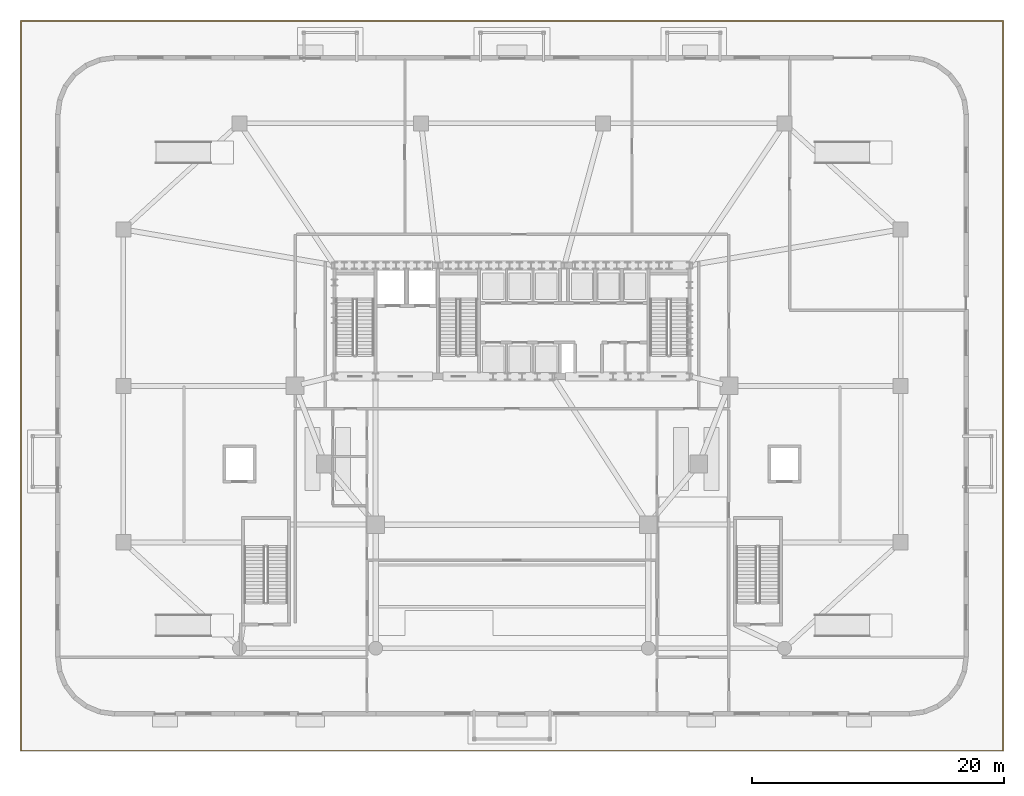
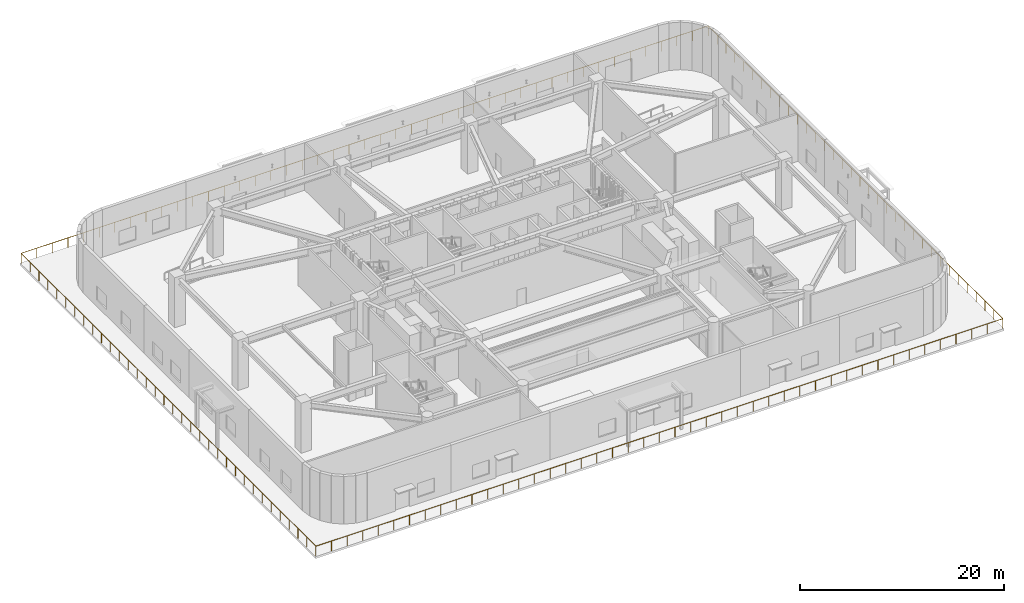
# One storey, part 16 of 21: 1 railing.
"""IFC4 building model written with IfcOpenShell, lengths in metres."""

import ifcopenshell
import ifcopenshell.guid

model = None  # the IFC model being written
_history = None  # IfcOwnerHistory: only IFC2X3 demands one
_inside = {}  # id of a spatial element -> (the spatial element, [elements in it])
_under = {}  # id of a project, library or spatial element -> (it, [spatial elements below it])
_declared = {}  # id of a project -> (the project, [libraries it declares])
_typed = {}  # id of a type object -> (the type object, [elements of that type])
_made_of = {}  # id of a material, layer set ... -> (it, [elements and type objects made of it])


def new_model(schema):
    """Start an empty IFC model of exactly this schema.

    Asked for "IFC4X3", IfcOpenShell would pick the latest addendum, in which some entities
    have other attributes; the version numbers below select the first issue.
    IFC2X3 requires an IfcOwnerHistory on every rooted entity: one is made here for all.
    """
    global model, _history
    if schema == "IFC4X3":
        model = ifcopenshell.file(schema_version=(4, 3, 0, 0))
    else:
        model = ifcopenshell.file(schema=schema)
    _inside.clear()
    _under.clear()
    _declared.clear()
    _typed.clear()
    _made_of.clear()
    _history = None
    if model.schema == "IFC2X3":
        org = make("IfcOrganization", Name="unknown")
        user = make(
            "IfcPersonAndOrganization",
            ThePerson=make("IfcPerson", FamilyName="unknown"),
            TheOrganization=org,
        )
        app = make(
            "IfcApplication",
            ApplicationDeveloper=org,
            Version="unknown",
            ApplicationFullName="unknown",
            ApplicationIdentifier="unknown",
        )
        _history = make(
            "IfcOwnerHistory",
            OwningUser=user,
            OwningApplication=app,
            ChangeAction="ADDED",
            CreationDate=0,
        )
    return model


def make(cls, **values):
    """One entity of the class cls with the attributes given. An attribute that is None is left unset."""
    return model.create_entity(
        cls, **{name: value for name, value in values.items() if value is not None}
    )


def rooted(cls, **values):
    """An entity with a GlobalId (a new one), such as an element, a storey or a relation."""
    return make(cls, GlobalId=ifcopenshell.guid.new(), OwnerHistory=_history, **values)


def si_unit(unit_type, name, prefix=None):
    """IfcSIUnit, for example si_unit("LENGTHUNIT", "METRE", prefix="MILLI")."""
    return make("IfcSIUnit", UnitType=unit_type, Prefix=prefix, Name=name)


def assignment(units):
    """IfcUnitAssignment: the units of a project."""
    return None if units is None else make("IfcUnitAssignment", Units=units)


def point(xyz):
    """IfcCartesianPoint."""
    return None if xyz is None else make("IfcCartesianPoint", Coordinates=xyz)


def direction(xyz):
    """IfcDirection."""
    return None if xyz is None else make("IfcDirection", DirectionRatios=xyz)


def frame(location, z_axis=None, x_axis=None):
    """IfcAxis2Placement3D, a coordinate frame: its origin and axes. An axis left out is left unset."""
    return make(
        "IfcAxis2Placement3D",
        Location=point(location),
        Axis=direction(z_axis),
        RefDirection=direction(x_axis),
    )


def frame_2d(location, x_axis=None):
    """IfcAxis2Placement2D, a coordinate frame in the plane: its origin and x axis."""
    return make(
        "IfcAxis2Placement2D", Location=point(location), RefDirection=direction(x_axis)
    )


def origin():
    """The frame at (0, 0, 0) with its axes left unset."""
    return frame((0.0, 0.0, 0.0))


def origin_2d():
    """The frame at (0, 0) in the plane with its x axis left unset."""
    return frame_2d((0.0, 0.0))


def place(relative_to, where):
    """IfcLocalPlacement: puts the frame where relative to a parent placement (None: the world)."""
    return make(
        "IfcLocalPlacement", PlacementRelTo=relative_to, RelativePlacement=where
    )


def context(
    kind, dimensions, precision=None, world=None, true_north=None, identifier=None
):
    """IfcGeometricRepresentationContext, for example the 3D "Model" context."""
    return make(
        "IfcGeometricRepresentationContext",
        ContextIdentifier=identifier,
        ContextType=kind,
        CoordinateSpaceDimension=dimensions,
        Precision=precision,
        WorldCoordinateSystem=world,
        TrueNorth=true_north,
    )


def subcontext(parent, identifier, kind, view, scale=None):
    """IfcGeometricRepresentationSubContext, for example "Body" below "Model"."""
    return make(
        "IfcGeometricRepresentationSubContext",
        ContextIdentifier=identifier,
        ContextType=kind,
        ParentContext=parent,
        TargetScale=scale,
        TargetView=view,
    )


def project(units=None, contexts=None):
    """IfcProject with its units and contexts."""
    return rooted(
        "IfcProject",
        Name="project",
        RepresentationContexts=contexts,
        UnitsInContext=assignment(units),
    )


def spatial(cls, under=None, at=None, **own):
    """A site, building, storey or space (cls), placed at a placement, below another one or the project."""
    s = rooted(cls, ObjectPlacement=at, **own)
    if under is not None:
        _under.setdefault(under.id(), (under, []))[1].append(s)
    return s


def profile(cls, at=None, kind="AREA", **sizes):
    """A parametric profile (cls). Its sizes go by their IFC names, for example OverallWidth=200.0."""
    return make(cls, ProfileType=kind, Position=at, **sizes)


def rectangle(**sizes):
    """IfcRectangleProfileDef."""
    return profile("IfcRectangleProfileDef", **sizes)


def extrude(swept, where, along, depth):
    """IfcExtrudedAreaSolid: the profile swept, set in the frame where, extruded along a direction by depth."""
    return make(
        "IfcExtrudedAreaSolid",
        SweptArea=swept,
        Position=where,
        ExtrudedDirection=direction(along),
        Depth=depth,
    )


def shape(context_of_items, identifier, shape_type, items):
    """IfcShapeRepresentation: the items that make up one representation, for example the "Body"."""
    return make(
        "IfcShapeRepresentation",
        ContextOfItems=context_of_items,
        RepresentationIdentifier=identifier,
        RepresentationType=shape_type,
        Items=items,
    )


def material(Name=None, Category=None):
    """IfcMaterial."""
    return make("IfcMaterial", Name=Name, Category=Category)


def made_of(thing, what):
    """Note that an element or type object is made of a material, layer set ...; save() writes the relation."""
    if what is not None:
        _made_of.setdefault(what.id(), (what, []))[1].append(thing)
    return thing


def type_object(cls, material=None, **own):
    """A type object (cls), such as IfcWallType, which elements share."""
    return made_of(rooted(cls, **own), material)


def element(
    cls,
    number,
    at=None,
    inside=None,
    cuts=None,
    type_object=None,
    material=None,
    context=None,
    identifier="Body",
    shape_type=None,
    held_by="IfcProductDefinitionShape",
    body=None,
    shapes=None,
    **own,
):
    """One element of the class cls, such as IfcWall. Its Tag is "e" and its number.

    at: its placement. inside: the storey or other place that contains it. cuts: it is an
    opening in that element (IfcRelVoidsElement). A single representation is given by context,
    identifier, shape_type and body (its items); several are given by shapes. held_by: the class
    of the entity that holds the representations. save() writes the other relations.
    """
    e = rooted(cls, Tag="e%d" % number, ObjectPlacement=at, **own)
    if body is not None:
        shapes = [shape(context, identifier, shape_type, body)]
    if shapes is not None:
        e.Representation = make(held_by, Representations=shapes)
    if inside is not None:
        _inside.setdefault(inside.id(), (inside, []))[1].append(e)
    if cuts is not None:
        rooted(
            "IfcRelVoidsElement", RelatingBuildingElement=cuts, RelatedOpeningElement=e
        )
    if type_object is not None:
        _typed.setdefault(type_object.id(), (type_object, []))[1].append(e)
    return made_of(e, material)


def aggregate(whole, parts):
    """IfcRelAggregates: a whole, such as a stair, and the parts it consists of."""
    return rooted("IfcRelAggregates", RelatingObject=whole, RelatedObjects=parts)


def save(model, path):
    """Write the relations noted so far, then the file.

    IfcRelAggregates (storeys below a building ...), IfcRelContainedInSpatialStructure (elements
    in a storey), IfcRelDefinesByType, IfcRelAssociatesMaterial and IfcRelDeclares: one each for
    every whole, place, type object, material and project.
    """
    for whole, parts in _under.values():
        aggregate(whole, parts)
    for where, things in _inside.values():
        rooted(
            "IfcRelContainedInSpatialStructure",
            RelatedElements=things,
            RelatingStructure=where,
        )
    for kind, things in _typed.values():
        rooted("IfcRelDefinesByType", RelatedObjects=things, RelatingType=kind)
    for what, things in _made_of.values():
        rooted("IfcRelAssociatesMaterial", RelatedObjects=things, RelatingMaterial=what)
    for by, libraries in _declared.values():
        rooted("IfcRelDeclares", RelatingContext=by, RelatedDefinitions=libraries)
    model.write(path)


model = new_model("IFC4")

# Units and contexts
model_context = context("Model", 3, precision=1e-05, world=origin(), true_north=direction((0.0, 1.0)))
body_context = subcontext(model_context, "Body", "Model", "MODEL_VIEW")
ifc_project = project(units=[si_unit("LENGTHUNIT", "METRE"), si_unit("AREAUNIT", "SQUARE_METRE"), si_unit("VOLUMEUNIT", "CUBIC_METRE"), si_unit("PLANEANGLEUNIT", "RADIAN"), si_unit("MASSUNIT", "GRAM", prefix="KILO")], contexts=[model_context])

# Site, building, storey
site_placement = place(None, origin())
site = spatial("IfcSite", under=ifc_project, at=site_placement, CompositionType="ELEMENT")
building_placement = place(site_placement, origin())
building = spatial("IfcBuilding", under=site, at=building_placement, Name="Haldorwick Loom Tower", CompositionType="ELEMENT")
storey_placement = place(building_placement, origin())
storey = spatial("IfcBuildingStorey", under=building, at=storey_placement, Name="L00", CompositionType="ELEMENT", Elevation=0.0)

# Railing
ifc_material = material(Name="Galvanized Steel CSA G40.21 350W", Category="steel")
railing_type = type_object("IfcRailingType", Name="ARC-RLG-BAL120", PredefinedType="BALUSTRADE", material=ifc_material)
railing_placement = place(storey_placement, frame((-2.919921875, -2.919921875, 0.0)))
element("IfcRailing", 1, at=railing_placement, inside=storey, type_object=railing_type, Name="L00 Outdoor Terrace Guardrail SLB-L00-APRON-1", PredefinedType="BALUSTRADE", context=body_context, shape_type="SweptSolid", body=[
    extrude(rectangle(XDim=0.048095703125, YDim=0.048095703125, at=origin_2d()), frame((0.0, 0.0, 1.17578125), z_axis=(0.0, 1.0, 0.0), x_axis=(-1.0, 0.0, 0.0)), (0.0, 0.0, 1.0), 57.83984375),
    extrude(rectangle(XDim=0.048095703125, YDim=0.048095703125, at=origin_2d()), frame((0.0, 57.83984375, 1.17578125), z_axis=(1.0, 0.0, 0.0), x_axis=(0.0, 1.0, 0.0)), (0.0, 0.0, 1.0), 77.83984375),
    extrude(rectangle(XDim=0.048095703125, YDim=0.048095703125, at=origin_2d()), frame((77.83984375, 57.83984375, 1.17578125), z_axis=(0.0, -1.0, 0.0), x_axis=(1.0, 0.0, 0.0)), (0.0, 0.0, 1.0), 57.83984375),
    extrude(rectangle(XDim=0.048095703125, YDim=0.048095703125, at=origin_2d()), frame((77.83984375, 0.0, 1.17578125), z_axis=(-1.0, 0.0, 0.0), x_axis=(0.0, -1.0, 0.0)), (0.0, 0.0, 1.0), 77.83984375),
    extrude(rectangle(XDim=0.0419921875, YDim=0.0419921875, at=origin_2d()), origin(), (0.0, 0.0, 1.0), 1.15185546875),
    extrude(rectangle(XDim=0.0419921875, YDim=0.0419921875, at=origin_2d()), frame((0.0, 1.752685546875, 0.0)), (0.0, 0.0, 1.0), 1.15185546875),
    extrude(rectangle(XDim=0.0419921875, YDim=0.0419921875, at=origin_2d()), frame((0.0, 3.50537109375, 0.0)), (0.0, 0.0, 1.0), 1.15185546875),
    extrude(rectangle(XDim=0.0419921875, YDim=0.0419921875, at=origin_2d()), frame((0.0, 5.258056640625, 0.0)), (0.0, 0.0, 1.0), 1.15185546875),
    extrude(rectangle(XDim=0.0419921875, YDim=0.0419921875, at=origin_2d()), frame((0.0, 7.010986328125, 0.0)), (0.0, 0.0, 1.0), 1.15185546875),
    extrude(rectangle(XDim=0.0419921875, YDim=0.0419921875, at=origin_2d()), frame((0.0, 8.763671875, 0.0)), (0.0, 0.0, 1.0), 1.15185546875),
    extrude(rectangle(XDim=0.0419921875, YDim=0.0419921875, at=origin_2d()), frame((0.0, 10.516357421875, 0.0)), (0.0, 0.0, 1.0), 1.15185546875),
    extrude(rectangle(XDim=0.0419921875, YDim=0.0419921875, at=origin_2d()), frame((0.0, 12.26904296875, 0.0)), (0.0, 0.0, 1.0), 1.15185546875),
    extrude(rectangle(XDim=0.0419921875, YDim=0.0419921875, at=origin_2d()), frame((0.0, 14.021728515625, 0.0)), (0.0, 0.0, 1.0), 1.15185546875),
    extrude(rectangle(XDim=0.0419921875, YDim=0.0419921875, at=origin_2d()), frame((0.0, 15.7744140625, 0.0)), (0.0, 0.0, 1.0), 1.15185546875),
    extrude(rectangle(XDim=0.0419921875, YDim=0.0419921875, at=origin_2d()), frame((0.0, 17.52734375, 0.0)), (0.0, 0.0, 1.0), 1.15185546875),
    extrude(rectangle(XDim=0.0419921875, YDim=0.0419921875, at=origin_2d()), frame((0.0, 19.280029296875, 0.0)), (0.0, 0.0, 1.0), 1.15185546875),
    extrude(rectangle(XDim=0.0419921875, YDim=0.0419921875, at=origin_2d()), frame((0.0, 21.03271484375, 0.0)), (0.0, 0.0, 1.0), 1.15185546875),
    extrude(rectangle(XDim=0.0419921875, YDim=0.0419921875, at=origin_2d()), frame((0.0, 22.785400390625, 0.0)), (0.0, 0.0, 1.0), 1.15185546875),
    extrude(rectangle(XDim=0.0419921875, YDim=0.0419921875, at=origin_2d()), frame((0.0, 24.5380859375, 0.0)), (0.0, 0.0, 1.0), 1.15185546875),
    extrude(rectangle(XDim=0.0419921875, YDim=0.0419921875, at=origin_2d()), frame((0.0, 26.290771484375, 0.0)), (0.0, 0.0, 1.0), 1.15185546875),
    extrude(rectangle(XDim=0.0419921875, YDim=0.0419921875, at=origin_2d()), frame((0.0, 28.04345703125, 0.0)), (0.0, 0.0, 1.0), 1.15185546875),
    extrude(rectangle(XDim=0.0419921875, YDim=0.0419921875, at=origin_2d()), frame((0.0, 29.79638671875, 0.0)), (0.0, 0.0, 1.0), 1.15185546875),
    extrude(rectangle(XDim=0.0419921875, YDim=0.0419921875, at=origin_2d()), frame((0.0, 31.549072265625, 0.0)), (0.0, 0.0, 1.0), 1.15185546875),
    extrude(rectangle(XDim=0.0419921875, YDim=0.0419921875, at=origin_2d()), frame((0.0, 33.3017578125, 0.0)), (0.0, 0.0, 1.0), 1.15185546875),
    extrude(rectangle(XDim=0.0419921875, YDim=0.0419921875, at=origin_2d()), frame((0.0, 35.054443359375, 0.0)), (0.0, 0.0, 1.0), 1.15185546875),
    extrude(rectangle(XDim=0.0419921875, YDim=0.0419921875, at=origin_2d()), frame((0.0, 36.80712890625, 0.0)), (0.0, 0.0, 1.0), 1.15185546875),
    extrude(rectangle(XDim=0.0419921875, YDim=0.0419921875, at=origin_2d()), frame((0.0, 38.559814453125, 0.0)), (0.0, 0.0, 1.0), 1.15185546875),
    extrude(rectangle(XDim=0.0419921875, YDim=0.0419921875, at=origin_2d()), frame((0.0, 40.3125, 0.0)), (0.0, 0.0, 1.0), 1.15185546875),
    extrude(rectangle(XDim=0.0419921875, YDim=0.0419921875, at=origin_2d()), frame((0.0, 42.0654296875, 0.0)), (0.0, 0.0, 1.0), 1.15185546875),
    extrude(rectangle(XDim=0.0419921875, YDim=0.0419921875, at=origin_2d()), frame((0.0, 43.818115234375, 0.0)), (0.0, 0.0, 1.0), 1.15185546875),
    extrude(rectangle(XDim=0.0419921875, YDim=0.0419921875, at=origin_2d()), frame((0.0, 45.57080078125, 0.0)), (0.0, 0.0, 1.0), 1.15185546875),
    extrude(rectangle(XDim=0.0419921875, YDim=0.0419921875, at=origin_2d()), frame((0.0, 47.323486328125, 0.0)), (0.0, 0.0, 1.0), 1.15185546875),
    extrude(rectangle(XDim=0.0419921875, YDim=0.0419921875, at=origin_2d()), frame((0.0, 49.076171875, 0.0)), (0.0, 0.0, 1.0), 1.15185546875),
    extrude(rectangle(XDim=0.0419921875, YDim=0.0419921875, at=origin_2d()), frame((0.0, 50.828857421875, 0.0)), (0.0, 0.0, 1.0), 1.15185546875),
    extrude(rectangle(XDim=0.0419921875, YDim=0.0419921875, at=origin_2d()), frame((0.0, 52.581787109375, 0.0)), (0.0, 0.0, 1.0), 1.15185546875),
    extrude(rectangle(XDim=0.0419921875, YDim=0.0419921875, at=origin_2d()), frame((0.0, 54.33447265625, 0.0)), (0.0, 0.0, 1.0), 1.15185546875),
    extrude(rectangle(XDim=0.0419921875, YDim=0.0419921875, at=origin_2d()), frame((0.0, 56.087158203125, 0.0)), (0.0, 0.0, 1.0), 1.15185546875),
    extrude(rectangle(XDim=0.0419921875, YDim=0.0419921875, at=origin_2d()), frame((0.0, 57.83984375, 0.0)), (0.0, 0.0, 1.0), 1.15185546875),
    extrude(rectangle(XDim=0.0419921875, YDim=0.0419921875, at=origin_2d()), frame((1.76904296875, 57.83984375, 0.0)), (0.0, 0.0, 1.0), 1.15185546875),
    extrude(rectangle(XDim=0.0419921875, YDim=0.0419921875, at=origin_2d()), frame((3.5380859375, 57.83984375, 0.0)), (0.0, 0.0, 1.0), 1.15185546875),
    extrude(rectangle(XDim=0.0419921875, YDim=0.0419921875, at=origin_2d()), frame((5.307373046875, 57.83984375, 0.0)), (0.0, 0.0, 1.0), 1.15185546875),
    extrude(rectangle(XDim=0.0419921875, YDim=0.0419921875, at=origin_2d()), frame((7.076416015625, 57.83984375, 0.0)), (0.0, 0.0, 1.0), 1.15185546875),
    extrude(rectangle(XDim=0.0419921875, YDim=0.0419921875, at=origin_2d()), frame((8.845458984375, 57.83984375, 0.0)), (0.0, 0.0, 1.0), 1.15185546875),
    extrude(rectangle(XDim=0.0419921875, YDim=0.0419921875, at=origin_2d()), frame((10.614501953125, 57.83984375, 0.0)), (0.0, 0.0, 1.0), 1.15185546875),
    extrude(rectangle(XDim=0.0419921875, YDim=0.0419921875, at=origin_2d()), frame((12.383544921875, 57.83984375, 0.0)), (0.0, 0.0, 1.0), 1.15185546875),
    extrude(rectangle(XDim=0.0419921875, YDim=0.0419921875, at=origin_2d()), frame((14.152587890625, 57.83984375, 0.0)), (0.0, 0.0, 1.0), 1.15185546875),
    extrude(rectangle(XDim=0.0419921875, YDim=0.0419921875, at=origin_2d()), frame((15.921875, 57.83984375, 0.0)), (0.0, 0.0, 1.0), 1.15185546875),
    extrude(rectangle(XDim=0.0419921875, YDim=0.0419921875, at=origin_2d()), frame((17.69091796875, 57.83984375, 0.0)), (0.0, 0.0, 1.0), 1.15185546875),
    extrude(rectangle(XDim=0.0419921875, YDim=0.0419921875, at=origin_2d()), frame((19.4599609375, 57.83984375, 0.0)), (0.0, 0.0, 1.0), 1.15185546875),
    extrude(rectangle(XDim=0.0419921875, YDim=0.0419921875, at=origin_2d()), frame((21.22900390625, 57.83984375, 0.0)), (0.0, 0.0, 1.0), 1.15185546875),
    extrude(rectangle(XDim=0.0419921875, YDim=0.0419921875, at=origin_2d()), frame((22.998046875, 57.83984375, 0.0)), (0.0, 0.0, 1.0), 1.15185546875),
    extrude(rectangle(XDim=0.0419921875, YDim=0.0419921875, at=origin_2d()), frame((24.767333984375, 57.83984375, 0.0)), (0.0, 0.0, 1.0), 1.15185546875),
    extrude(rectangle(XDim=0.0419921875, YDim=0.0419921875, at=origin_2d()), frame((26.536376953125, 57.83984375, 0.0)), (0.0, 0.0, 1.0), 1.15185546875),
    extrude(rectangle(XDim=0.0419921875, YDim=0.0419921875, at=origin_2d()), frame((28.305419921875, 57.83984375, 0.0)), (0.0, 0.0, 1.0), 1.15185546875),
    extrude(rectangle(XDim=0.0419921875, YDim=0.0419921875, at=origin_2d()), frame((30.074462890625, 57.83984375, 0.0)), (0.0, 0.0, 1.0), 1.15185546875),
    extrude(rectangle(XDim=0.0419921875, YDim=0.0419921875, at=origin_2d()), frame((31.843505859375, 57.83984375, 0.0)), (0.0, 0.0, 1.0), 1.15185546875),
    extrude(rectangle(XDim=0.0419921875, YDim=0.0419921875, at=origin_2d()), frame((33.612548828125, 57.83984375, 0.0)), (0.0, 0.0, 1.0), 1.15185546875),
    extrude(rectangle(XDim=0.0419921875, YDim=0.0419921875, at=origin_2d()), frame((35.3818359375, 57.83984375, 0.0)), (0.0, 0.0, 1.0), 1.15185546875),
    extrude(rectangle(XDim=0.0419921875, YDim=0.0419921875, at=origin_2d()), frame((37.15087890625, 57.83984375, 0.0)), (0.0, 0.0, 1.0), 1.15185546875),
    extrude(rectangle(XDim=0.0419921875, YDim=0.0419921875, at=origin_2d()), frame((38.919921875, 57.83984375, 0.0)), (0.0, 0.0, 1.0), 1.15185546875),
    extrude(rectangle(XDim=0.0419921875, YDim=0.0419921875, at=origin_2d()), frame((40.68896484375, 57.83984375, 0.0)), (0.0, 0.0, 1.0), 1.15185546875),
    extrude(rectangle(XDim=0.0419921875, YDim=0.0419921875, at=origin_2d()), frame((42.4580078125, 57.83984375, 0.0)), (0.0, 0.0, 1.0), 1.15185546875),
    extrude(rectangle(XDim=0.0419921875, YDim=0.0419921875, at=origin_2d()), frame((44.227294921875, 57.83984375, 0.0)), (0.0, 0.0, 1.0), 1.15185546875),
    extrude(rectangle(XDim=0.0419921875, YDim=0.0419921875, at=origin_2d()), frame((45.996337890625, 57.83984375, 0.0)), (0.0, 0.0, 1.0), 1.15185546875),
    extrude(rectangle(XDim=0.0419921875, YDim=0.0419921875, at=origin_2d()), frame((47.765380859375, 57.83984375, 0.0)), (0.0, 0.0, 1.0), 1.15185546875),
    extrude(rectangle(XDim=0.0419921875, YDim=0.0419921875, at=origin_2d()), frame((49.534423828125, 57.83984375, 0.0)), (0.0, 0.0, 1.0), 1.15185546875),
    extrude(rectangle(XDim=0.0419921875, YDim=0.0419921875, at=origin_2d()), frame((51.303466796875, 57.83984375, 0.0)), (0.0, 0.0, 1.0), 1.15185546875),
    extrude(rectangle(XDim=0.0419921875, YDim=0.0419921875, at=origin_2d()), frame((53.072509765625, 57.83984375, 0.0)), (0.0, 0.0, 1.0), 1.15185546875),
    extrude(rectangle(XDim=0.0419921875, YDim=0.0419921875, at=origin_2d()), frame((54.841796875, 57.83984375, 0.0)), (0.0, 0.0, 1.0), 1.15185546875),
    extrude(rectangle(XDim=0.0419921875, YDim=0.0419921875, at=origin_2d()), frame((56.61083984375, 57.83984375, 0.0)), (0.0, 0.0, 1.0), 1.15185546875),
    extrude(rectangle(XDim=0.0419921875, YDim=0.0419921875, at=origin_2d()), frame((58.3798828125, 57.83984375, 0.0)), (0.0, 0.0, 1.0), 1.15185546875),
    extrude(rectangle(XDim=0.0419921875, YDim=0.0419921875, at=origin_2d()), frame((60.14892578125, 57.83984375, 0.0)), (0.0, 0.0, 1.0), 1.15185546875),
    extrude(rectangle(XDim=0.0419921875, YDim=0.0419921875, at=origin_2d()), frame((61.91796875, 57.83984375, 0.0)), (0.0, 0.0, 1.0), 1.15185546875),
    extrude(rectangle(XDim=0.0419921875, YDim=0.0419921875, at=origin_2d()), frame((63.687255859375, 57.83984375, 0.0)), (0.0, 0.0, 1.0), 1.15185546875),
    extrude(rectangle(XDim=0.0419921875, YDim=0.0419921875, at=origin_2d()), frame((65.456298828125, 57.83984375, 0.0)), (0.0, 0.0, 1.0), 1.15185546875),
    extrude(rectangle(XDim=0.0419921875, YDim=0.0419921875, at=origin_2d()), frame((67.225341796875, 57.83984375, 0.0)), (0.0, 0.0, 1.0), 1.15185546875),
    extrude(rectangle(XDim=0.0419921875, YDim=0.0419921875, at=origin_2d()), frame((68.994384765625, 57.83984375, 0.0)), (0.0, 0.0, 1.0), 1.15185546875),
    extrude(rectangle(XDim=0.0419921875, YDim=0.0419921875, at=origin_2d()), frame((70.763427734375, 57.83984375, 0.0)), (0.0, 0.0, 1.0), 1.15185546875),
    extrude(rectangle(XDim=0.0419921875, YDim=0.0419921875, at=origin_2d()), frame((72.532470703125, 57.83984375, 0.0)), (0.0, 0.0, 1.0), 1.15185546875),
    extrude(rectangle(XDim=0.0419921875, YDim=0.0419921875, at=origin_2d()), frame((74.3017578125, 57.83984375, 0.0)), (0.0, 0.0, 1.0), 1.15185546875),
    extrude(rectangle(XDim=0.0419921875, YDim=0.0419921875, at=origin_2d()), frame((76.07080078125, 57.83984375, 0.0)), (0.0, 0.0, 1.0), 1.15185546875),
    extrude(rectangle(XDim=0.0419921875, YDim=0.0419921875, at=origin_2d()), frame((77.83984375, 57.83984375, 0.0)), (0.0, 0.0, 1.0), 1.15185546875),
    extrude(rectangle(XDim=0.0419921875, YDim=0.0419921875, at=origin_2d()), frame((77.83984375, 56.087158203125, 0.0)), (0.0, 0.0, 1.0), 1.15185546875),
    extrude(rectangle(XDim=0.0419921875, YDim=0.0419921875, at=origin_2d()), frame((77.83984375, 54.33447265625, 0.0)), (0.0, 0.0, 1.0), 1.15185546875),
    extrude(rectangle(XDim=0.0419921875, YDim=0.0419921875, at=origin_2d()), frame((77.83984375, 52.581787109375, 0.0)), (0.0, 0.0, 1.0), 1.15185546875),
    extrude(rectangle(XDim=0.0419921875, YDim=0.0419921875, at=origin_2d()), frame((77.83984375, 50.828857421875, 0.0)), (0.0, 0.0, 1.0), 1.15185546875),
    extrude(rectangle(XDim=0.0419921875, YDim=0.0419921875, at=origin_2d()), frame((77.83984375, 49.076171875, 0.0)), (0.0, 0.0, 1.0), 1.15185546875),
    extrude(rectangle(XDim=0.0419921875, YDim=0.0419921875, at=origin_2d()), frame((77.83984375, 47.323486328125, 0.0)), (0.0, 0.0, 1.0), 1.15185546875),
    extrude(rectangle(XDim=0.0419921875, YDim=0.0419921875, at=origin_2d()), frame((77.83984375, 45.57080078125, 0.0)), (0.0, 0.0, 1.0), 1.15185546875),
    extrude(rectangle(XDim=0.0419921875, YDim=0.0419921875, at=origin_2d()), frame((77.83984375, 43.818115234375, 0.0)), (0.0, 0.0, 1.0), 1.15185546875),
    extrude(rectangle(XDim=0.0419921875, YDim=0.0419921875, at=origin_2d()), frame((77.83984375, 42.0654296875, 0.0)), (0.0, 0.0, 1.0), 1.15185546875),
    extrude(rectangle(XDim=0.0419921875, YDim=0.0419921875, at=origin_2d()), frame((77.83984375, 40.3125, 0.0)), (0.0, 0.0, 1.0), 1.15185546875),
    extrude(rectangle(XDim=0.0419921875, YDim=0.0419921875, at=origin_2d()), frame((77.83984375, 38.559814453125, 0.0)), (0.0, 0.0, 1.0), 1.15185546875),
    extrude(rectangle(XDim=0.0419921875, YDim=0.0419921875, at=origin_2d()), frame((77.83984375, 36.80712890625, 0.0)), (0.0, 0.0, 1.0), 1.15185546875),
    extrude(rectangle(XDim=0.0419921875, YDim=0.0419921875, at=origin_2d()), frame((77.83984375, 35.054443359375, 0.0)), (0.0, 0.0, 1.0), 1.15185546875),
    extrude(rectangle(XDim=0.0419921875, YDim=0.0419921875, at=origin_2d()), frame((77.83984375, 33.3017578125, 0.0)), (0.0, 0.0, 1.0), 1.15185546875),
    extrude(rectangle(XDim=0.0419921875, YDim=0.0419921875, at=origin_2d()), frame((77.83984375, 31.549072265625, 0.0)), (0.0, 0.0, 1.0), 1.15185546875),
    extrude(rectangle(XDim=0.0419921875, YDim=0.0419921875, at=origin_2d()), frame((77.83984375, 29.79638671875, 0.0)), (0.0, 0.0, 1.0), 1.15185546875),
    extrude(rectangle(XDim=0.0419921875, YDim=0.0419921875, at=origin_2d()), frame((77.83984375, 28.04345703125, 0.0)), (0.0, 0.0, 1.0), 1.15185546875),
    extrude(rectangle(XDim=0.0419921875, YDim=0.0419921875, at=origin_2d()), frame((77.83984375, 26.290771484375, 0.0)), (0.0, 0.0, 1.0), 1.15185546875),
    extrude(rectangle(XDim=0.0419921875, YDim=0.0419921875, at=origin_2d()), frame((77.83984375, 24.5380859375, 0.0)), (0.0, 0.0, 1.0), 1.15185546875),
    extrude(rectangle(XDim=0.0419921875, YDim=0.0419921875, at=origin_2d()), frame((77.83984375, 22.785400390625, 0.0)), (0.0, 0.0, 1.0), 1.15185546875),
    extrude(rectangle(XDim=0.0419921875, YDim=0.0419921875, at=origin_2d()), frame((77.83984375, 21.03271484375, 0.0)), (0.0, 0.0, 1.0), 1.15185546875),
    extrude(rectangle(XDim=0.0419921875, YDim=0.0419921875, at=origin_2d()), frame((77.83984375, 19.280029296875, 0.0)), (0.0, 0.0, 1.0), 1.15185546875),
    extrude(rectangle(XDim=0.0419921875, YDim=0.0419921875, at=origin_2d()), frame((77.83984375, 17.52734375, 0.0)), (0.0, 0.0, 1.0), 1.15185546875),
    extrude(rectangle(XDim=0.0419921875, YDim=0.0419921875, at=origin_2d()), frame((77.83984375, 15.7744140625, 0.0)), (0.0, 0.0, 1.0), 1.15185546875),
    extrude(rectangle(XDim=0.0419921875, YDim=0.0419921875, at=origin_2d()), frame((77.83984375, 14.021728515625, 0.0)), (0.0, 0.0, 1.0), 1.15185546875),
    extrude(rectangle(XDim=0.0419921875, YDim=0.0419921875, at=origin_2d()), frame((77.83984375, 12.26904296875, 0.0)), (0.0, 0.0, 1.0), 1.15185546875),
    extrude(rectangle(XDim=0.0419921875, YDim=0.0419921875, at=origin_2d()), frame((77.83984375, 10.516357421875, 0.0)), (0.0, 0.0, 1.0), 1.15185546875),
    extrude(rectangle(XDim=0.0419921875, YDim=0.0419921875, at=origin_2d()), frame((77.83984375, 8.763671875, 0.0)), (0.0, 0.0, 1.0), 1.15185546875),
    extrude(rectangle(XDim=0.0419921875, YDim=0.0419921875, at=origin_2d()), frame((77.83984375, 7.010986328125, 0.0)), (0.0, 0.0, 1.0), 1.15185546875),
    extrude(rectangle(XDim=0.0419921875, YDim=0.0419921875, at=origin_2d()), frame((77.83984375, 5.258056640625, 0.0)), (0.0, 0.0, 1.0), 1.15185546875),
    extrude(rectangle(XDim=0.0419921875, YDim=0.0419921875, at=origin_2d()), frame((77.83984375, 3.50537109375, 0.0)), (0.0, 0.0, 1.0), 1.15185546875),
    extrude(rectangle(XDim=0.0419921875, YDim=0.0419921875, at=origin_2d()), frame((77.83984375, 1.752685546875, 0.0)), (0.0, 0.0, 1.0), 1.15185546875),
    extrude(rectangle(XDim=0.0419921875, YDim=0.0419921875, at=origin_2d()), frame((77.83984375, 0.0, 0.0)), (0.0, 0.0, 1.0), 1.15185546875),
    extrude(rectangle(XDim=0.0419921875, YDim=0.0419921875, at=origin_2d()), frame((76.07080078125, 0.0, 0.0)), (0.0, 0.0, 1.0), 1.15185546875),
    extrude(rectangle(XDim=0.0419921875, YDim=0.0419921875, at=origin_2d()), frame((74.3017578125, 0.0, 0.0)), (0.0, 0.0, 1.0), 1.15185546875),
    extrude(rectangle(XDim=0.0419921875, YDim=0.0419921875, at=origin_2d()), frame((72.532470703125, 0.0, 0.0)), (0.0, 0.0, 1.0), 1.15185546875),
    extrude(rectangle(XDim=0.0419921875, YDim=0.0419921875, at=origin_2d()), frame((70.763427734375, 0.0, 0.0)), (0.0, 0.0, 1.0), 1.15185546875),
    extrude(rectangle(XDim=0.0419921875, YDim=0.0419921875, at=origin_2d()), frame((68.994384765625, 0.0, 0.0)), (0.0, 0.0, 1.0), 1.15185546875),
    extrude(rectangle(XDim=0.0419921875, YDim=0.0419921875, at=origin_2d()), frame((67.225341796875, 0.0, 0.0)), (0.0, 0.0, 1.0), 1.15185546875),
    extrude(rectangle(XDim=0.0419921875, YDim=0.0419921875, at=origin_2d()), frame((65.456298828125, 0.0, 0.0)), (0.0, 0.0, 1.0), 1.15185546875),
    extrude(rectangle(XDim=0.0419921875, YDim=0.0419921875, at=origin_2d()), frame((63.687255859375, 0.0, 0.0)), (0.0, 0.0, 1.0), 1.15185546875),
    extrude(rectangle(XDim=0.0419921875, YDim=0.0419921875, at=origin_2d()), frame((61.91796875, 0.0, 0.0)), (0.0, 0.0, 1.0), 1.15185546875),
    extrude(rectangle(XDim=0.0419921875, YDim=0.0419921875, at=origin_2d()), frame((60.14892578125, 0.0, 0.0)), (0.0, 0.0, 1.0), 1.15185546875),
    extrude(rectangle(XDim=0.0419921875, YDim=0.0419921875, at=origin_2d()), frame((58.3798828125, 0.0, 0.0)), (0.0, 0.0, 1.0), 1.15185546875),
    extrude(rectangle(XDim=0.0419921875, YDim=0.0419921875, at=origin_2d()), frame((56.61083984375, 0.0, 0.0)), (0.0, 0.0, 1.0), 1.15185546875),
    extrude(rectangle(XDim=0.0419921875, YDim=0.0419921875, at=origin_2d()), frame((54.841796875, 0.0, 0.0)), (0.0, 0.0, 1.0), 1.15185546875),
    extrude(rectangle(XDim=0.0419921875, YDim=0.0419921875, at=origin_2d()), frame((53.072509765625, 0.0, 0.0)), (0.0, 0.0, 1.0), 1.15185546875),
    extrude(rectangle(XDim=0.0419921875, YDim=0.0419921875, at=origin_2d()), frame((51.303466796875, 0.0, 0.0)), (0.0, 0.0, 1.0), 1.15185546875),
    extrude(rectangle(XDim=0.0419921875, YDim=0.0419921875, at=origin_2d()), frame((49.534423828125, 0.0, 0.0)), (0.0, 0.0, 1.0), 1.15185546875),
    extrude(rectangle(XDim=0.0419921875, YDim=0.0419921875, at=origin_2d()), frame((47.765380859375, 0.0, 0.0)), (0.0, 0.0, 1.0), 1.15185546875),
    extrude(rectangle(XDim=0.0419921875, YDim=0.0419921875, at=origin_2d()), frame((45.996337890625, 0.0, 0.0)), (0.0, 0.0, 1.0), 1.15185546875),
    extrude(rectangle(XDim=0.0419921875, YDim=0.0419921875, at=origin_2d()), frame((44.227294921875, 0.0, 0.0)), (0.0, 0.0, 1.0), 1.15185546875),
    extrude(rectangle(XDim=0.0419921875, YDim=0.0419921875, at=origin_2d()), frame((42.4580078125, 0.0, 0.0)), (0.0, 0.0, 1.0), 1.15185546875),
    extrude(rectangle(XDim=0.0419921875, YDim=0.0419921875, at=origin_2d()), frame((40.68896484375, 0.0, 0.0)), (0.0, 0.0, 1.0), 1.15185546875),
    extrude(rectangle(XDim=0.0419921875, YDim=0.0419921875, at=origin_2d()), frame((38.919921875, 0.0, 0.0)), (0.0, 0.0, 1.0), 1.15185546875),
    extrude(rectangle(XDim=0.0419921875, YDim=0.0419921875, at=origin_2d()), frame((37.15087890625, 0.0, 0.0)), (0.0, 0.0, 1.0), 1.15185546875),
    extrude(rectangle(XDim=0.0419921875, YDim=0.0419921875, at=origin_2d()), frame((35.3818359375, 0.0, 0.0)), (0.0, 0.0, 1.0), 1.15185546875),
    extrude(rectangle(XDim=0.0419921875, YDim=0.0419921875, at=origin_2d()), frame((33.612548828125, 0.0, 0.0)), (0.0, 0.0, 1.0), 1.15185546875),
    extrude(rectangle(XDim=0.0419921875, YDim=0.0419921875, at=origin_2d()), frame((31.843505859375, 0.0, 0.0)), (0.0, 0.0, 1.0), 1.15185546875),
    extrude(rectangle(XDim=0.0419921875, YDim=0.0419921875, at=origin_2d()), frame((30.074462890625, 0.0, 0.0)), (0.0, 0.0, 1.0), 1.15185546875),
    extrude(rectangle(XDim=0.0419921875, YDim=0.0419921875, at=origin_2d()), frame((28.305419921875, 0.0, 0.0)), (0.0, 0.0, 1.0), 1.15185546875),
    extrude(rectangle(XDim=0.0419921875, YDim=0.0419921875, at=origin_2d()), frame((26.536376953125, 0.0, 0.0)), (0.0, 0.0, 1.0), 1.15185546875),
    extrude(rectangle(XDim=0.0419921875, YDim=0.0419921875, at=origin_2d()), frame((24.767333984375, 0.0, 0.0)), (0.0, 0.0, 1.0), 1.15185546875),
    extrude(rectangle(XDim=0.0419921875, YDim=0.0419921875, at=origin_2d()), frame((22.998046875, 0.0, 0.0)), (0.0, 0.0, 1.0), 1.15185546875),
    extrude(rectangle(XDim=0.0419921875, YDim=0.0419921875, at=origin_2d()), frame((21.22900390625, 0.0, 0.0)), (0.0, 0.0, 1.0), 1.15185546875),
    extrude(rectangle(XDim=0.0419921875, YDim=0.0419921875, at=origin_2d()), frame((19.4599609375, 0.0, 0.0)), (0.0, 0.0, 1.0), 1.15185546875),
    extrude(rectangle(XDim=0.0419921875, YDim=0.0419921875, at=origin_2d()), frame((17.69091796875, 0.0, 0.0)), (0.0, 0.0, 1.0), 1.15185546875),
    extrude(rectangle(XDim=0.0419921875, YDim=0.0419921875, at=origin_2d()), frame((15.921875, 0.0, 0.0)), (0.0, 0.0, 1.0), 1.15185546875),
    extrude(rectangle(XDim=0.0419921875, YDim=0.0419921875, at=origin_2d()), frame((14.152587890625, 0.0, 0.0)), (0.0, 0.0, 1.0), 1.15185546875),
    extrude(rectangle(XDim=0.0419921875, YDim=0.0419921875, at=origin_2d()), frame((12.383544921875, 0.0, 0.0)), (0.0, 0.0, 1.0), 1.15185546875),
    extrude(rectangle(XDim=0.0419921875, YDim=0.0419921875, at=origin_2d()), frame((10.614501953125, 0.0, 0.0)), (0.0, 0.0, 1.0), 1.15185546875),
    extrude(rectangle(XDim=0.0419921875, YDim=0.0419921875, at=origin_2d()), frame((8.845458984375, 0.0, 0.0)), (0.0, 0.0, 1.0), 1.15185546875),
    extrude(rectangle(XDim=0.0419921875, YDim=0.0419921875, at=origin_2d()), frame((7.076416015625, 0.0, 0.0)), (0.0, 0.0, 1.0), 1.15185546875),
    extrude(rectangle(XDim=0.0419921875, YDim=0.0419921875, at=origin_2d()), frame((5.307373046875, 0.0, 0.0)), (0.0, 0.0, 1.0), 1.15185546875),
    extrude(rectangle(XDim=0.0419921875, YDim=0.0419921875, at=origin_2d()), frame((3.5380859375, 0.0, 0.0)), (0.0, 0.0, 1.0), 1.15185546875),
    extrude(rectangle(XDim=0.0419921875, YDim=0.0419921875, at=origin_2d()), frame((1.76904296875, 0.0, 0.0)), (0.0, 0.0, 1.0), 1.15185546875),
])

save(model, "model.ifc")
